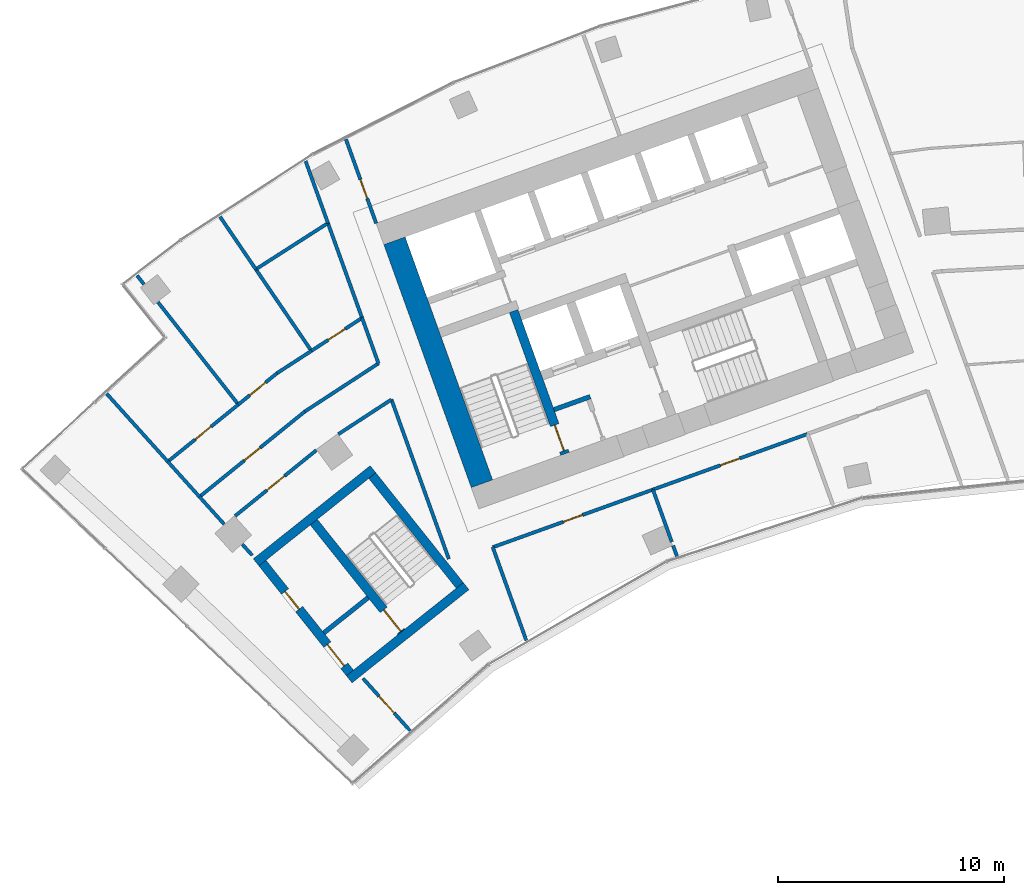
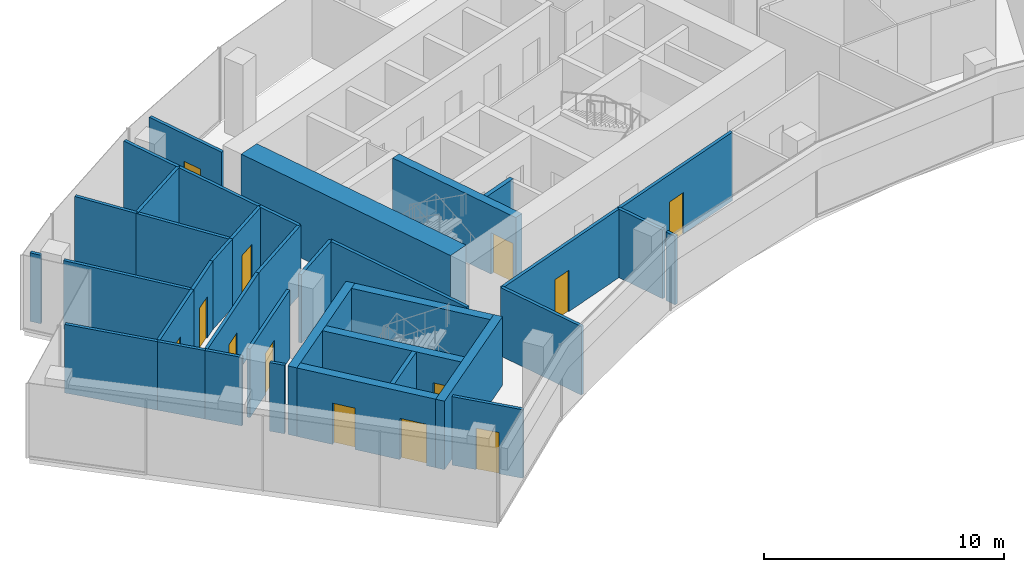
# One storey, part 12 of 19: 37 walls, 13 doors, 13 openings.
"""IFC4 building model written with IfcOpenShell, lengths in metres."""

import ifcopenshell
import ifcopenshell.guid

model = None  # the IFC model being written
_history = None  # IfcOwnerHistory: only IFC2X3 demands one
_inside = {}  # id of a spatial element -> (the spatial element, [elements in it])
_under = {}  # id of a project, library or spatial element -> (it, [spatial elements below it])
_declared = {}  # id of a project -> (the project, [libraries it declares])
_typed = {}  # id of a type object -> (the type object, [elements of that type])
_made_of = {}  # id of a material, layer set ... -> (it, [elements and type objects made of it])


def new_model(schema):
    """Start an empty IFC model of exactly this schema.

    Asked for "IFC4X3", IfcOpenShell would pick the latest addendum, in which some entities
    have other attributes; the version numbers below select the first issue.
    IFC2X3 requires an IfcOwnerHistory on every rooted entity: one is made here for all.
    """
    global model, _history
    if schema == "IFC4X3":
        model = ifcopenshell.file(schema_version=(4, 3, 0, 0))
    else:
        model = ifcopenshell.file(schema=schema)
    _inside.clear()
    _under.clear()
    _declared.clear()
    _typed.clear()
    _made_of.clear()
    _history = None
    if model.schema == "IFC2X3":
        org = make("IfcOrganization", Name="unknown")
        user = make(
            "IfcPersonAndOrganization",
            ThePerson=make("IfcPerson", FamilyName="unknown"),
            TheOrganization=org,
        )
        app = make(
            "IfcApplication",
            ApplicationDeveloper=org,
            Version="unknown",
            ApplicationFullName="unknown",
            ApplicationIdentifier="unknown",
        )
        _history = make(
            "IfcOwnerHistory",
            OwningUser=user,
            OwningApplication=app,
            ChangeAction="ADDED",
            CreationDate=0,
        )
    return model


def make(cls, **values):
    """One entity of the class cls with the attributes given. An attribute that is None is left unset."""
    return model.create_entity(
        cls, **{name: value for name, value in values.items() if value is not None}
    )


def rooted(cls, **values):
    """An entity with a GlobalId (a new one), such as an element, a storey or a relation."""
    return make(cls, GlobalId=ifcopenshell.guid.new(), OwnerHistory=_history, **values)


def si_unit(unit_type, name, prefix=None):
    """IfcSIUnit, for example si_unit("LENGTHUNIT", "METRE", prefix="MILLI")."""
    return make("IfcSIUnit", UnitType=unit_type, Prefix=prefix, Name=name)


def assignment(units):
    """IfcUnitAssignment: the units of a project."""
    return None if units is None else make("IfcUnitAssignment", Units=units)


def point(xyz):
    """IfcCartesianPoint."""
    return None if xyz is None else make("IfcCartesianPoint", Coordinates=xyz)


def direction(xyz):
    """IfcDirection."""
    return None if xyz is None else make("IfcDirection", DirectionRatios=xyz)


def frame(location, z_axis=None, x_axis=None):
    """IfcAxis2Placement3D, a coordinate frame: its origin and axes. An axis left out is left unset."""
    return make(
        "IfcAxis2Placement3D",
        Location=point(location),
        Axis=direction(z_axis),
        RefDirection=direction(x_axis),
    )


def frame_2d(location, x_axis=None):
    """IfcAxis2Placement2D, a coordinate frame in the plane: its origin and x axis."""
    return make(
        "IfcAxis2Placement2D", Location=point(location), RefDirection=direction(x_axis)
    )


def origin():
    """The frame at (0, 0, 0) with its axes left unset."""
    return frame((0.0, 0.0, 0.0))


def place(relative_to, where):
    """IfcLocalPlacement: puts the frame where relative to a parent placement (None: the world)."""
    return make(
        "IfcLocalPlacement", PlacementRelTo=relative_to, RelativePlacement=where
    )


def context(
    kind, dimensions, precision=None, world=None, true_north=None, identifier=None
):
    """IfcGeometricRepresentationContext, for example the 3D "Model" context."""
    return make(
        "IfcGeometricRepresentationContext",
        ContextIdentifier=identifier,
        ContextType=kind,
        CoordinateSpaceDimension=dimensions,
        Precision=precision,
        WorldCoordinateSystem=world,
        TrueNorth=true_north,
    )


def subcontext(parent, identifier, kind, view, scale=None):
    """IfcGeometricRepresentationSubContext, for example "Body" below "Model"."""
    return make(
        "IfcGeometricRepresentationSubContext",
        ContextIdentifier=identifier,
        ContextType=kind,
        ParentContext=parent,
        TargetScale=scale,
        TargetView=view,
    )


def project(units=None, contexts=None):
    """IfcProject with its units and contexts."""
    return rooted(
        "IfcProject",
        Name="project",
        RepresentationContexts=contexts,
        UnitsInContext=assignment(units),
    )


def spatial(cls, under=None, at=None, **own):
    """A site, building, storey or space (cls), placed at a placement, below another one or the project."""
    s = rooted(cls, ObjectPlacement=at, **own)
    if under is not None:
        _under.setdefault(under.id(), (under, []))[1].append(s)
    return s


def profile(cls, at=None, kind="AREA", **sizes):
    """A parametric profile (cls). Its sizes go by their IFC names, for example OverallWidth=200.0."""
    return make(cls, ProfileType=kind, Position=at, **sizes)


def rectangle(**sizes):
    """IfcRectangleProfileDef."""
    return profile("IfcRectangleProfileDef", **sizes)


def extrude(swept, where, along, depth):
    """IfcExtrudedAreaSolid: the profile swept, set in the frame where, extruded along a direction by depth."""
    return make(
        "IfcExtrudedAreaSolid",
        SweptArea=swept,
        Position=where,
        ExtrudedDirection=direction(along),
        Depth=depth,
    )


def shape(context_of_items, identifier, shape_type, items):
    """IfcShapeRepresentation: the items that make up one representation, for example the "Body"."""
    return make(
        "IfcShapeRepresentation",
        ContextOfItems=context_of_items,
        RepresentationIdentifier=identifier,
        RepresentationType=shape_type,
        Items=items,
    )


def material(Name=None, Category=None):
    """IfcMaterial."""
    return make("IfcMaterial", Name=Name, Category=Category)


def layer(
    of_material, thickness, ventilated=None, Name=None, Category=None, Priority=None
):
    """IfcMaterialLayer: one layer of a wall or slab, of a material (None: an air gap)."""
    return make(
        "IfcMaterialLayer",
        Material=of_material,
        LayerThickness=thickness,
        IsVentilated=ventilated,
        Name=Name,
        Category=Category,
        Priority=Priority,
    )


def layer_set(layers, Name=None):
    """IfcMaterialLayerSet."""
    return make("IfcMaterialLayerSet", MaterialLayers=layers, LayerSetName=Name)


def made_of(thing, what):
    """Note that an element or type object is made of a material, layer set ...; save() writes the relation."""
    if what is not None:
        _made_of.setdefault(what.id(), (what, []))[1].append(thing)
    return thing


def type_object(cls, material=None, **own):
    """A type object (cls), such as IfcWallType, which elements share."""
    return made_of(rooted(cls, **own), material)


def element(
    cls,
    number,
    at=None,
    inside=None,
    cuts=None,
    type_object=None,
    material=None,
    context=None,
    identifier="Body",
    shape_type=None,
    held_by="IfcProductDefinitionShape",
    body=None,
    shapes=None,
    **own,
):
    """One element of the class cls, such as IfcWall. Its Tag is "e" and its number.

    at: its placement. inside: the storey or other place that contains it. cuts: it is an
    opening in that element (IfcRelVoidsElement). A single representation is given by context,
    identifier, shape_type and body (its items); several are given by shapes. held_by: the class
    of the entity that holds the representations. save() writes the other relations.
    """
    e = rooted(cls, Tag="e%d" % number, ObjectPlacement=at, **own)
    if body is not None:
        shapes = [shape(context, identifier, shape_type, body)]
    if shapes is not None:
        e.Representation = make(held_by, Representations=shapes)
    if inside is not None:
        _inside.setdefault(inside.id(), (inside, []))[1].append(e)
    if cuts is not None:
        rooted(
            "IfcRelVoidsElement", RelatingBuildingElement=cuts, RelatedOpeningElement=e
        )
    if type_object is not None:
        _typed.setdefault(type_object.id(), (type_object, []))[1].append(e)
    return made_of(e, material)


def fill(opening, filler):
    """IfcRelFillsElement: the door or window that sits in an opening."""
    return rooted(
        "IfcRelFillsElement",
        RelatingOpeningElement=opening,
        RelatedBuildingElement=filler,
    )


def aggregate(whole, parts):
    """IfcRelAggregates: a whole, such as a stair, and the parts it consists of."""
    return rooted("IfcRelAggregates", RelatingObject=whole, RelatedObjects=parts)


def save(model, path):
    """Write the relations noted so far, then the file.

    IfcRelAggregates (storeys below a building ...), IfcRelContainedInSpatialStructure (elements
    in a storey), IfcRelDefinesByType, IfcRelAssociatesMaterial and IfcRelDeclares: one each for
    every whole, place, type object, material and project.
    """
    for whole, parts in _under.values():
        aggregate(whole, parts)
    for where, things in _inside.values():
        rooted(
            "IfcRelContainedInSpatialStructure",
            RelatedElements=things,
            RelatingStructure=where,
        )
    for kind, things in _typed.values():
        rooted("IfcRelDefinesByType", RelatedObjects=things, RelatingType=kind)
    for what, things in _made_of.values():
        rooted("IfcRelAssociatesMaterial", RelatedObjects=things, RelatingMaterial=what)
    for by, libraries in _declared.values():
        rooted("IfcRelDeclares", RelatingContext=by, RelatedDefinitions=libraries)
    model.write(path)


model = new_model("IFC4")

# Units and contexts
model_context = context("Model", 3, precision=1e-05, world=origin(), true_north=direction((0.0, 1.0)))
body_context = subcontext(model_context, "Body", "Model", "MODEL_VIEW")
ifc_project = project(units=[si_unit("LENGTHUNIT", "METRE"), si_unit("AREAUNIT", "SQUARE_METRE"), si_unit("VOLUMEUNIT", "CUBIC_METRE"), si_unit("PLANEANGLEUNIT", "RADIAN"), si_unit("MASSUNIT", "GRAM", prefix="KILO")], contexts=[model_context])

# Site, building, storey
site_placement = place(None, origin())
site = spatial("IfcSite", under=ifc_project, at=site_placement, CompositionType="ELEMENT")
building_placement = place(site_placement, origin())
building = spatial("IfcBuilding", under=site, at=building_placement, Name="Stone Belt Terrace Tower", CompositionType="ELEMENT")
storey_placement = place(building_placement, frame((0.0, 0.0, 204.800048828125)))
storey = spatial("IfcBuildingStorey", under=building, at=storey_placement, Name="L49", CompositionType="ELEMENT", Elevation=204.800048828125)

# Walls
ifc_material_1 = material(Name="Concrete B60", Category="concrete")
ifc_layer_1 = layer(ifc_material_1, 1.0)
ifc_layer_set_1 = layer_set([ifc_layer_1], Name="Core wall 1000 B60")
wall_type_1 = type_object("IfcWallType", Name="Core wall 1000 B60", PredefinedType="SHEAR", material=ifc_layer_set_1)
wall_1_placement = place(storey_placement, frame((-25.821044921875, 43.102783203125, 0.0), z_axis=(0.0, 0.0, 1.0), x_axis=(-0.338625431531, 0.940921259788, 0.0)))
element("IfcWall", 1, at=wall_1_placement, inside=storey, type_object=wall_type_1, Name="Core A wall end_a L49", PredefinedType="SHEAR", context=body_context, shape_type="SweptSolid", body=[
    extrude(rectangle(XDim=11.400146484375, YDim=1.0, at=frame_2d((5.7001953125, 0.0))), origin(), (0.0, 0.0, 1.0), 3.800048828125),
])
ifc_material_2 = material(Name="Gypsum board partition")
ifc_layer_2 = layer(ifc_material_2, 0.14990234375)
ifc_layer_set_2 = layer_set([ifc_layer_2], Name="PARTITION 150 EI 60")
wall_type_2 = type_object("IfcWallType", Name="PARTITION 150 EI 60", PredefinedType="PARTITIONING", material=ifc_layer_set_2)
wall_2_placement = place(storey_placement, frame((-25.344970703125, 40.304931640625, 0.0), z_axis=(0.0, 0.0, 1.0), x_axis=(0.338603151709, -0.94092927771, 0.0)))
element("IfcWall", 2, at=wall_2_placement, inside=storey, type_object=wall_type_2, Name="L49/wall/i001", PredefinedType="PARTITIONING", context=body_context, shape_type="SweptSolid", body=[
    extrude(rectangle(XDim=4.38525390625, YDim=0.14990234375, at=frame_2d((2.192626953125, 0.0))), origin(), (0.0, 0.0, 1.0), 3.47998046875),
])

# Wall, opening, door
wall_3_placement = place(storey_placement, frame((-31.826904296875, 58.314208984375, 0.0), z_axis=(0.0, 0.0, 1.0), x_axis=(0.338542007836, -0.940951278723, 0.0)))
wall_3 = element("IfcWall", 3, at=wall_3_placement, inside=storey, type_object=wall_type_2, Name="L49/wall/i002", PredefinedType="PARTITIONING", context=body_context, shape_type="SweptSolid", body=[
    extrude(rectangle(XDim=3.946044921875, YDim=0.14990234375, at=frame_2d((1.97314453125, 0.0))), origin(), (0.0, 0.0, 1.0), 3.47998046875),
])
opening_1_placement = place(wall_3_placement, frame((1.889892578125, 0.0, 0.0)))
opening_1 = element("IfcOpeningElement", 4, at=opening_1_placement, cuts=wall_3, Name="Opening D-D2-04", PredefinedType="OPENING", context=body_context, shape_type="SweptSolid", body=[
    extrude(rectangle(XDim=0.89990234375, YDim=2.10009765625, at=frame_2d((0.449951171875, 1.050048828125))), frame((0.0, 0.0849609375, 0.0), z_axis=(0.0, -1.0, 0.0), x_axis=(1.0, 0.0, 0.0)), (0.0, 0.0, 1.0), 0.169921875),
])
ifc_material_3 = material(Name="Timber door leaf", Category="wood")
door_type_1 = type_object("IfcDoorType", Name="OFFICE DOOR 900 X 2100", OperationType="NOTDEFINED", PredefinedType="DOOR", material=ifc_material_3)
door_1_placement = place(opening_1_placement, origin())
door_1 = element("IfcDoor", 5, at=door_1_placement, inside=storey, type_object=door_type_1, Name="L49/door/i04", OperationType="SINGLE_SWING_RIGHT", OverallHeight=2.10009765625, OverallWidth=0.89990234375, PredefinedType="DOOR", context=body_context, shape_type="SweptSolid", body=[
    extrude(rectangle(XDim=0.89990234375, YDim=2.10009765625, at=frame_2d((0.449951171875, 1.050048828125))), frame((0.0, 0.02490234375, 0.0), z_axis=(0.0, -1.0, 0.0), x_axis=(1.0, 0.0, 0.0)), (0.0, 0.0, 1.0), 0.050048828125),
])
fill(opening_1, door_1)

wall_4_placement = place(storey_placement, frame((-28.9892578125, 32.194580078125, 0.0), z_axis=(0.0, 0.0, 1.0), x_axis=(-0.669060096377, 0.743208306894, 0.0)))
wall_4 = element("IfcWall", 6, at=wall_4_placement, inside=storey, type_object=wall_type_2, Name="L49/wall/i003", PredefinedType="PARTITIONING", context=body_context, shape_type="SweptSolid", body=[
    extrude(rectangle(XDim=3.111572265625, YDim=0.14990234375, at=frame_2d((1.5556640625, 0.0))), origin(), (0.0, 0.0, 1.0), 3.47998046875),
])
opening_2_placement = place(wall_4_placement, frame((1.0556640625, 0.0, 0.0)))
opening_2 = element("IfcOpeningElement", 7, at=opening_2_placement, cuts=wall_4, Name="Opening D-D2-11", PredefinedType="OPENING", context=body_context, shape_type="SweptSolid", body=[
    extrude(rectangle(XDim=1.0, YDim=2.10009765625, at=frame_2d((0.5, 1.050048828125))), frame((0.0, 0.0849609375, 0.0), z_axis=(0.0, -1.0, 0.0), x_axis=(1.0, 0.0, 0.0)), (0.0, 0.0, 1.0), 0.169921875),
])
ifc_material_4 = material(Name="Timber fire door leaf", Category="wood")
door_type_2 = type_object("IfcDoorType", Name="TENANCY ENTRANCE DOOR 1000 X 2100", OperationType="NOTDEFINED", PredefinedType="DOOR", material=ifc_material_4)
door_2_placement = place(opening_2_placement, origin())
door_2 = element("IfcDoor", 8, at=door_2_placement, inside=storey, type_object=door_type_2, Name="L49/door/i11", OperationType="SINGLE_SWING_RIGHT", OverallHeight=2.10009765625, OverallWidth=1.0, PredefinedType="DOOR", context=body_context, shape_type="SweptSolid", body=[
    extrude(rectangle(XDim=1.0, YDim=2.10009765625, at=frame_2d((0.5, 1.050048828125))), frame((0.0, 0.02490234375, 0.0), z_axis=(0.0, -1.0, 0.0), x_axis=(1.0, 0.0, 0.0)), (0.0, 0.0, 1.0), 0.050048828125),
])
fill(opening_2, door_2)

# Walls
wall_5_placement = place(storey_placement, frame((-27.282958984375, 39.781982421875, 0.0), z_axis=(0.0, 0.0, 1.0), x_axis=(-0.338714849804, 0.940889074505, 0.0)))
element("IfcWall", 9, at=wall_5_placement, inside=storey, type_object=wall_type_2, Name="L49/wall/i004", PredefinedType="PARTITIONING", context=body_context, shape_type="SweptSolid", body=[
    extrude(rectangle(XDim=7.487548828125, YDim=0.14990234375, at=frame_2d((3.74365234375, 0.0))), origin(), (0.0, 0.0, 1.0), 3.47998046875),
])
wall_6_placement = place(storey_placement, frame((-30.387939453125, 48.408935546875, 0.0), z_axis=(0.0, 0.0, 1.0), x_axis=(-0.338510151975, 0.940962739438, 0.0)))
element("IfcWall", 10, at=wall_6_placement, inside=storey, type_object=wall_type_2, Name="L49/wall/i005", PredefinedType="PARTITIONING", context=body_context, shape_type="SweptSolid", body=[
    extrude(rectangle(XDim=2.147705078125, YDim=0.14990234375, at=frame_2d((1.07373046875, 0.0))), origin(), (0.0, 0.0, 1.0), 3.47998046875),
])
wall_7_placement = place(storey_placement, frame((-31.111083984375, 50.41796875, 0.0), z_axis=(0.0, 0.0, 1.0), x_axis=(-0.338855091794, 0.940838576359, 0.0)))
element("IfcWall", 11, at=wall_7_placement, inside=storey, type_object=wall_type_2, Name="L49/wall/i006", PredefinedType="PARTITIONING", context=body_context, shape_type="SweptSolid", body=[
    extrude(rectangle(XDim=4.4619140625, YDim=0.14990234375, at=frame_2d((2.23095703125, 0.0))), origin(), (0.0, 0.0, 1.0), 3.47998046875),
])
wall_8_placement = place(storey_placement, frame((-32.617919921875, 54.60498046875, 0.0), z_axis=(0.0, 0.0, 1.0), x_axis=(-0.338823024639, 0.940850125139, 0.0)))
element("IfcWall", 12, at=wall_8_placement, inside=storey, type_object=wall_type_2, Name="L49/wall/i007", PredefinedType="PARTITIONING", context=body_context, shape_type="SweptSolid", body=[
    extrude(rectangle(XDim=2.921875, YDim=0.14990234375, at=frame_2d((1.4609375, 0.0))), origin(), (0.0, 0.0, 1.0), 3.47998046875),
])

# Wall, opening, door
wall_9_placement = place(storey_placement, frame((-18.264892578125, 42.845947265625, 0.0), z_axis=(0.0, 0.0, 1.0), x_axis=(-0.940940358384, -0.338572358536, 0.0)))
wall_9 = element("IfcWall", 13, at=wall_9_placement, inside=storey, type_object=wall_type_2, Name="L49/wall/i015", PredefinedType="PARTITIONING", context=body_context, shape_type="SweptSolid", body=[
    extrude(rectangle(XDim=7.5224609375, YDim=0.14990234375, at=frame_2d((3.76123046875, 0.0))), origin(), (0.0, 0.0, 1.0), 3.47998046875),
])
opening_3_placement = place(wall_9_placement, frame((3.311279296875, 0.0, 0.0)))
opening_3 = element("IfcOpeningElement", 14, at=opening_3_placement, cuts=wall_9, Name="Opening D-D2-01", PredefinedType="OPENING", context=body_context, shape_type="SweptSolid", body=[
    extrude(rectangle(XDim=0.89990234375, YDim=2.10009765625, at=frame_2d((0.449951171875, 1.050048828125))), frame((0.0, 0.0849609375, 0.0), z_axis=(0.0, -1.0, 0.0), x_axis=(1.0, 0.0, 0.0)), (0.0, 0.0, 1.0), 0.169921875),
])
door_3_placement = place(opening_3_placement, origin())
door_3 = element("IfcDoor", 15, at=door_3_placement, inside=storey, type_object=door_type_1, Name="L49/door/i01", OperationType="SINGLE_SWING_RIGHT", OverallHeight=2.10009765625, OverallWidth=0.89990234375, PredefinedType="DOOR", context=body_context, shape_type="SweptSolid", body=[
    extrude(rectangle(XDim=0.89990234375, YDim=2.10009765625, at=frame_2d((0.449951171875, 1.050048828125))), frame((0.0, 0.02490234375, 0.0), z_axis=(0.0, -1.0, 0.0), x_axis=(1.0, 0.0, 0.0)), (0.0, 0.0, 1.0), 0.050048828125),
])
fill(opening_3, door_3)

wall_10_placement = place(storey_placement, frame((-11.443115234375, 45.301025390625, 0.0), z_axis=(0.0, 0.0, 1.0), x_axis=(-0.940942249556, -0.338567102655, 0.0)))
wall_10 = element("IfcWall", 16, at=wall_10_placement, inside=storey, type_object=wall_type_2, Name="L49/wall/i016", PredefinedType="PARTITIONING", context=body_context, shape_type="SweptSolid", body=[
    extrude(rectangle(XDim=7.262939453125, YDim=0.14990234375, at=frame_2d((3.63134765625, 0.0))), origin(), (0.0, 0.0, 1.0), 3.47998046875),
])
opening_4_placement = place(wall_10_placement, frame((3.181396484375, 0.0, 0.0)))
opening_4 = element("IfcOpeningElement", 17, at=opening_4_placement, cuts=wall_10, Name="Opening D-D2-02", PredefinedType="OPENING", context=body_context, shape_type="SweptSolid", body=[
    extrude(rectangle(XDim=0.89990234375, YDim=2.10009765625, at=frame_2d((0.449951171875, 1.050048828125))), frame((0.0, 0.0849609375, 0.0), z_axis=(0.0, -1.0, 0.0), x_axis=(1.0, 0.0, 0.0)), (0.0, 0.0, 1.0), 0.169921875),
])
door_4_placement = place(opening_4_placement, origin())
door_4 = element("IfcDoor", 18, at=door_4_placement, inside=storey, type_object=door_type_1, Name="L49/door/i02", OperationType="SINGLE_SWING_RIGHT", OverallHeight=2.10009765625, OverallWidth=0.89990234375, PredefinedType="DOOR", context=body_context, shape_type="SweptSolid", body=[
    extrude(rectangle(XDim=0.89990234375, YDim=2.10009765625, at=frame_2d((0.449951171875, 1.050048828125))), frame((0.0, 0.02490234375, 0.0), z_axis=(0.0, -1.0, 0.0), x_axis=(1.0, 0.0, 0.0)), (0.0, 0.0, 1.0), 0.050048828125),
])
fill(opening_4, door_4)

# Walls
wall_11_placement = place(storey_placement, frame((-18.27099609375, 42.843994140625, 0.0), z_axis=(0.0, 0.0, 1.0), x_axis=(0.338641965783, -0.940915309159, 0.0)))
element("IfcWall", 19, at=wall_11_placement, inside=storey, type_object=wall_type_2, Name="L49/wall/i018", PredefinedType="PARTITIONING", context=body_context, shape_type="SweptSolid", body=[
    extrude(rectangle(XDim=2.4541015625, YDim=0.14990234375, at=frame_2d((1.22705078125, 0.0))), origin(), (0.0, 0.0, 1.0), 3.47998046875),
])
wall_12_placement = place(storey_placement, frame((-17.379150390625, 40.3662109375, 0.0), z_axis=(0.0, 0.0, 1.0), x_axis=(0.338719468273, -0.940887411869, 0.0)))
element("IfcWall", 20, at=wall_12_placement, inside=storey, type_object=wall_type_2, Name="L49/wall/i019", PredefinedType="PARTITIONING", context=body_context, shape_type="SweptSolid", body=[
    extrude(rectangle(XDim=0.49951171875, YDim=0.14990234375, at=frame_2d((0.249755859375, 0.0))), origin(), (0.0, 0.0, 1.0), 3.47998046875),
])
wall_13_placement = place(storey_placement, frame((-38.294921875, 42.530029296875, 0.0), z_axis=(0.0, 0.0, 1.0), x_axis=(0.669105815647, -0.743167146386, 0.0)))
element("IfcWall", 21, at=wall_13_placement, inside=storey, type_object=wall_type_2, Name="L49/wall/i039", PredefinedType="PARTITIONING", context=body_context, shape_type="SweptSolid", body=[
    extrude(rectangle(XDim=1.625244140625, YDim=0.14990234375, at=frame_2d((0.8125, 0.0))), origin(), (0.0, 0.0, 1.0), 3.47998046875),
])
wall_14_placement = place(storey_placement, frame((-36.3974609375, 40.42333984375, 0.0), z_axis=(0.0, 0.0, 1.0), x_axis=(0.669006377534, -0.743256662815, 0.0)))
element("IfcWall", 22, at=wall_14_placement, inside=storey, type_object=wall_type_2, Name="L49/wall/i040", PredefinedType="PARTITIONING", context=body_context, shape_type="SweptSolid", body=[
    extrude(rectangle(XDim=0.647705078125, YDim=0.14990234375, at=frame_2d((0.32373046875, 0.0))), origin(), (0.0, 0.0, 1.0), 3.47998046875),
])
wall_15_placement = place(storey_placement, frame((-39.694091796875, 44.083984375, 0.0), z_axis=(0.0, 0.0, 1.0), x_axis=(0.66904169551, -0.743224871535, 0.0)))
element("IfcWall", 23, at=wall_15_placement, inside=storey, type_object=wall_type_2, Name="L49/wall/i041", PredefinedType="PARTITIONING", context=body_context, shape_type="SweptSolid", body=[
    extrude(rectangle(XDim=2.10302734375, YDim=0.14990234375, at=frame_2d((1.051513671875, 0.0))), origin(), (0.0, 0.0, 1.0), 3.47998046875),
])
wall_16_placement = place(storey_placement, frame((-42.39501953125, 47.084228515625, 0.0), z_axis=(0.0, 0.0, 1.0), x_axis=(0.669051341016, -0.743216188659, 0.0)))
element("IfcWall", 24, at=wall_16_placement, inside=storey, type_object=wall_type_2, Name="L49/wall/i042", PredefinedType="PARTITIONING", context=body_context, shape_type="SweptSolid", body=[
    extrude(rectangle(XDim=4.049072265625, YDim=0.14990234375, at=frame_2d((2.0244140625, 0.0))), origin(), (0.0, 0.0, 1.0), 3.47998046875),
])
wall_17_placement = place(storey_placement, frame((-29.81689453125, 46.821044921875, 0.0), z_axis=(0.0, 0.0, 1.0), x_axis=(-0.837343079097, -0.54667775507, 0.0)))
element("IfcWall", 25, at=wall_17_placement, inside=storey, type_object=wall_type_2, Name="L49/wall/i043", PredefinedType="PARTITIONING", context=body_context, shape_type="SweptSolid", body=[
    extrude(rectangle(XDim=2.796875, YDim=0.14990234375, at=frame_2d((1.3984375, 0.0))), origin(), (0.0, 0.0, 1.0), 3.47998046875),
])

# Wall, opening, door
wall_18_placement = place(storey_placement, frame((-33.136962890625, 44.57958984375, 0.0), z_axis=(0.0, 0.0, 1.0), x_axis=(-0.777157211672, -0.629306497937, 0.0)))
wall_18 = element("IfcWall", 26, at=wall_18_placement, inside=storey, type_object=wall_type_2, Name="L49/wall/i044", PredefinedType="PARTITIONING", context=body_context, shape_type="SweptSolid", body=[
    extrude(rectangle(XDim=4.60546875, YDim=0.14990234375, at=frame_2d((2.302734375, 0.0))), origin(), (0.0, 0.0, 1.0), 3.47998046875),
])
opening_5_placement = place(wall_18_placement, frame((1.802734375, 0.0, 0.0)))
opening_5 = element("IfcOpeningElement", 27, at=opening_5_placement, cuts=wall_18, Name="Opening D-D2-12", PredefinedType="OPENING", context=body_context, shape_type="SweptSolid", body=[
    extrude(rectangle(XDim=1.0, YDim=2.10009765625, at=frame_2d((0.5, 1.050048828125))), frame((0.0, 0.0849609375, 0.0), z_axis=(0.0, -1.0, 0.0), x_axis=(1.0, 0.0, 0.0)), (0.0, 0.0, 1.0), 0.169921875),
])
door_5_placement = place(opening_5_placement, origin())
door_5 = element("IfcDoor", 28, at=door_5_placement, inside=storey, type_object=door_type_2, Name="L49/door/i12", OperationType="SINGLE_SWING_RIGHT", OverallHeight=2.10009765625, OverallWidth=1.0, PredefinedType="DOOR", context=body_context, shape_type="SweptSolid", body=[
    extrude(rectangle(XDim=1.0, YDim=2.10009765625, at=frame_2d((0.5, 1.050048828125))), frame((0.0, 0.02490234375, 0.0), z_axis=(0.0, -1.0, 0.0), x_axis=(1.0, 0.0, 0.0)), (0.0, 0.0, 1.0), 0.050048828125),
])
fill(opening_5, door_5)

wall_19_placement = place(storey_placement, frame((-38.291015625, 42.52587890625, 0.0), z_axis=(0.0, 0.0, 1.0), x_axis=(0.777109127033, 0.629365875054, 0.0)))
wall_19 = element("IfcWall", 29, at=wall_19_placement, inside=storey, type_object=wall_type_2, Name="L49/wall/i045", PredefinedType="PARTITIONING", context=body_context, shape_type="SweptSolid", body=[
    extrude(rectangle(XDim=5.990234375, YDim=0.14990234375, at=frame_2d((2.9951171875, 0.0))), origin(), (0.0, 0.0, 1.0), 3.47998046875),
])
opening_6_placement = place(wall_19_placement, frame((2.545166015625, 0.0, 0.0)))
opening_6 = element("IfcOpeningElement", 30, at=opening_6_placement, cuts=wall_19, Name="Opening D-D2-13", PredefinedType="OPENING", context=body_context, shape_type="SweptSolid", body=[
    extrude(rectangle(XDim=0.89990234375, YDim=2.10009765625, at=frame_2d((0.449951171875, 1.050048828125))), frame((0.0, 0.0849609375, 0.0), z_axis=(0.0, -1.0, 0.0), x_axis=(1.0, 0.0, 0.0)), (0.0, 0.0, 1.0), 0.169921875),
])
door_6_placement = place(opening_6_placement, origin())
door_6 = element("IfcDoor", 31, at=door_6_placement, inside=storey, type_object=door_type_1, Name="L49/door/i13", OperationType="SINGLE_SWING_RIGHT", OverallHeight=2.10009765625, OverallWidth=0.89990234375, PredefinedType="DOOR", context=body_context, shape_type="SweptSolid", body=[
    extrude(rectangle(XDim=0.89990234375, YDim=2.10009765625, at=frame_2d((0.449951171875, 1.050048828125))), frame((0.0, 0.02490234375, 0.0), z_axis=(0.0, -1.0, 0.0), x_axis=(1.0, 0.0, 0.0)), (0.0, 0.0, 1.0), 0.050048828125),
])
fill(opening_6, door_6)

# Wall
wall_20_placement = place(storey_placement, frame((-33.635986328125, 46.2958984375, 0.0), z_axis=(0.0, 0.0, 1.0), x_axis=(0.83735993179, 0.54665194103, 0.0)))
element("IfcWall", 32, at=wall_20_placement, inside=storey, type_object=wall_type_2, Name="L49/wall/i046", PredefinedType="PARTITIONING", context=body_context, shape_type="SweptSolid", body=[
    extrude(rectangle(XDim=3.87646484375, YDim=0.14990234375, at=frame_2d((1.938232421875, 0.0))), origin(), (0.0, 0.0, 1.0), 3.47998046875),
])

# Wall, opening, door
wall_21_placement = place(storey_placement, frame((-39.68994140625, 44.080078125, 0.0), z_axis=(0.0, 0.0, 1.0), x_axis=(0.777257626376, 0.629182471339, 0.0)))
wall_21 = element("IfcWall", 33, at=wall_21_placement, inside=storey, type_object=wall_type_2, Name="L49/wall/i047", PredefinedType="PARTITIONING", context=body_context, shape_type="SweptSolid", body=[
    extrude(rectangle(XDim=4.011474609375, YDim=0.14990234375, at=frame_2d((2.005859375, 0.0))), origin(), (0.0, 0.0, 1.0), 3.47998046875),
])
opening_7_placement = place(wall_21_placement, frame((1.5556640625, 0.0, 0.0)))
opening_7 = element("IfcOpeningElement", 34, at=opening_7_placement, cuts=wall_21, Name="Opening D-D2-14", PredefinedType="OPENING", context=body_context, shape_type="SweptSolid", body=[
    extrude(rectangle(XDim=0.89990234375, YDim=2.10009765625, at=frame_2d((0.449951171875, 1.050048828125))), frame((0.0, 0.0849609375, 0.0), z_axis=(0.0, -1.0, 0.0), x_axis=(1.0, 0.0, 0.0)), (0.0, 0.0, 1.0), 0.169921875),
])
door_7_placement = place(opening_7_placement, origin())
door_7 = element("IfcDoor", 35, at=door_7_placement, inside=storey, type_object=door_type_1, Name="L49/door/i14", OperationType="SINGLE_SWING_RIGHT", OverallHeight=2.10009765625, OverallWidth=0.89990234375, PredefinedType="DOOR", context=body_context, shape_type="SweptSolid", body=[
    extrude(rectangle(XDim=0.89990234375, YDim=2.10009765625, at=frame_2d((0.449951171875, 1.050048828125))), frame((0.0, 0.02490234375, 0.0), z_axis=(0.0, -1.0, 0.0), x_axis=(1.0, 0.0, 0.0)), (0.0, 0.0, 1.0), 0.050048828125),
])
fill(opening_7, door_7)

wall_22_placement = place(storey_placement, frame((-36.5810546875, 46.596923828125, 0.0), z_axis=(0.0, 0.0, 1.0), x_axis=(0.777036302679, 0.629455784244, 0.0)))
wall_22 = element("IfcWall", 36, at=wall_22_placement, inside=storey, type_object=wall_type_2, Name="L49/wall/i048", PredefinedType="PARTITIONING", context=body_context, shape_type="SweptSolid", body=[
    extrude(rectangle(XDim=2.20849609375, YDim=0.14990234375, at=frame_2d((1.104248046875, 0.0))), origin(), (0.0, 0.0, 1.0), 3.47998046875),
])
opening_8_placement = place(wall_22_placement, frame((0.654052734375, 0.0, 0.0)))
opening_8 = element("IfcOpeningElement", 37, at=opening_8_placement, cuts=wall_22, Name="Opening D-D2-15", PredefinedType="OPENING", context=body_context, shape_type="SweptSolid", body=[
    extrude(rectangle(XDim=0.89990234375, YDim=2.10009765625, at=frame_2d((0.449951171875, 1.050048828125))), frame((0.0, 0.0849609375, 0.0), z_axis=(0.0, -1.0, 0.0), x_axis=(1.0, 0.0, 0.0)), (0.0, 0.0, 1.0), 0.169921875),
])
door_8_placement = place(opening_8_placement, origin())
door_8 = element("IfcDoor", 38, at=door_8_placement, inside=storey, type_object=door_type_1, Name="L49/door/i15", OperationType="SINGLE_SWING_RIGHT", OverallHeight=2.10009765625, OverallWidth=0.89990234375, PredefinedType="DOOR", context=body_context, shape_type="SweptSolid", body=[
    extrude(rectangle(XDim=0.89990234375, YDim=2.10009765625, at=frame_2d((0.449951171875, 1.050048828125))), frame((0.0, 0.02490234375, 0.0), z_axis=(0.0, -1.0, 0.0), x_axis=(1.0, 0.0, 0.0)), (0.0, 0.0, 1.0), 0.050048828125),
])
fill(opening_8, door_8)

# Wall
wall_23_placement = place(storey_placement, frame((-34.864990234375, 47.987060546875, 0.0), z_axis=(0.0, 0.0, 1.0), x_axis=(0.838831506128, 0.544391131749, 0.0)))
element("IfcWall", 39, at=wall_23_placement, inside=storey, type_object=wall_type_2, Name="L49/wall/i049", PredefinedType="PARTITIONING", context=body_context, shape_type="SweptSolid", body=[
    extrude(rectangle(XDim=1.810791015625, YDim=0.14990234375, at=frame_2d((0.9052734375, 0.0))), origin(), (0.0, 0.0, 1.0), 3.47998046875),
])

# Wall, opening, door
wall_24_placement = place(storey_placement, frame((-33.35595703125, 48.967041015625, 0.0), z_axis=(0.0, 0.0, 1.0), x_axis=(0.838591655075, 0.544760530912, 0.0)))
wall_24 = element("IfcWall", 40, at=wall_24_placement, inside=storey, type_object=wall_type_2, Name="L49/wall/i050", PredefinedType="PARTITIONING", context=body_context, shape_type="SweptSolid", body=[
    extrude(rectangle(XDim=2.674560546875, YDim=0.14990234375, at=frame_2d((1.33740234375, 0.0))), origin(), (0.0, 0.0, 1.0), 3.47998046875),
])
opening_9_placement = place(wall_24_placement, frame((0.887451171875, 0.0, 0.0)))
opening_9 = element("IfcOpeningElement", 41, at=opening_9_placement, cuts=wall_24, Name="Opening D-D2-16", PredefinedType="OPENING", context=body_context, shape_type="SweptSolid", body=[
    extrude(rectangle(XDim=0.89990234375, YDim=2.10009765625, at=frame_2d((0.449951171875, 1.050048828125))), frame((0.0, 0.0849609375, 0.0), z_axis=(0.0, -1.0, 0.0), x_axis=(1.0, 0.0, 0.0)), (0.0, 0.0, 1.0), 0.169921875),
])
door_9_placement = place(opening_9_placement, origin())
door_9 = element("IfcDoor", 42, at=door_9_placement, inside=storey, type_object=door_type_1, Name="L49/door/i16", OperationType="SINGLE_SWING_RIGHT", OverallHeight=2.10009765625, OverallWidth=0.89990234375, PredefinedType="DOOR", context=body_context, shape_type="SweptSolid", body=[
    extrude(rectangle(XDim=0.89990234375, YDim=2.10009765625, at=frame_2d((0.449951171875, 1.050048828125))), frame((0.0, 0.02490234375, 0.0), z_axis=(0.0, -1.0, 0.0), x_axis=(1.0, 0.0, 0.0)), (0.0, 0.0, 1.0), 0.050048828125),
])
fill(opening_9, door_9)

# Walls
wall_25_placement = place(storey_placement, frame((-41.05078125, 52.30078125, 0.0), z_axis=(0.0, 0.0, 1.0), x_axis=(0.617296297688, -0.786730754999, 0.0)))
element("IfcWall", 43, at=wall_25_placement, inside=storey, type_object=wall_type_2, Name="L49/wall/i051", PredefinedType="PARTITIONING", context=body_context, shape_type="SweptSolid", body=[
    extrude(rectangle(XDim=0.49267578125, YDim=0.14990234375, at=frame_2d((0.246337890625, 0.0))), origin(), (0.0, 0.0, 1.0), 3.47998046875),
])
wall_26_placement = place(storey_placement, frame((-40.123046875, 51.11865234375, 0.0), z_axis=(0.0, 0.0, 1.0), x_axis=(0.61745726777, -0.786604425667, 0.0)))
element("IfcWall", 44, at=wall_26_placement, inside=storey, type_object=wall_type_2, Name="L49/wall/i052", PredefinedType="PARTITIONING", context=body_context, shape_type="SweptSolid", body=[
    extrude(rectangle(XDim=5.7431640625, YDim=0.14990234375, at=frame_2d((2.87158203125, 0.0))), origin(), (0.0, 0.0, 1.0), 3.47998046875),
])
wall_27_placement = place(storey_placement, frame((-35.806884765625, 52.576904296875, 0.0), z_axis=(0.0, 0.0, 1.0), x_axis=(0.56279504392, -0.826596478664, 0.0)))
element("IfcWall", 45, at=wall_27_placement, inside=storey, type_object=wall_type_2, Name="L49/wall/i053", PredefinedType="PARTITIONING", context=body_context, shape_type="SweptSolid", body=[
    extrude(rectangle(XDim=4.363525390625, YDim=0.14990234375, at=frame_2d((2.181640625, 0.0))), origin(), (0.0, 0.0, 1.0), 3.47998046875),
])
wall_28_placement = place(storey_placement, frame((-37.390380859375, 54.901611328125, 0.0), z_axis=(0.0, 0.0, 1.0), x_axis=(0.562733169893, -0.826638602717, 0.0)))
element("IfcWall", 46, at=wall_28_placement, inside=storey, type_object=wall_type_2, Name="L49/wall/i054", PredefinedType="PARTITIONING", context=body_context, shape_type="SweptSolid", body=[
    extrude(rectangle(XDim=2.824462890625, YDim=0.14990234375, at=frame_2d((1.412109375, 0.0))), origin(), (0.0, 0.0, 1.0), 3.47998046875),
])
wall_29_placement = place(storey_placement, frame((-35.803955078125, 52.572021484375, 0.0), z_axis=(0.0, 0.0, 1.0), x_axis=(0.842102486174, 0.539317534278, 0.0)))
element("IfcWall", 47, at=wall_29_placement, inside=storey, type_object=wall_type_2, Name="L49/wall/i055", PredefinedType="PARTITIONING", context=body_context, shape_type="SweptSolid", body=[
    extrude(rectangle(XDim=3.78076171875, YDim=0.14990234375, at=frame_2d((1.890380859375, 0.0))), origin(), (0.0, 0.0, 1.0), 3.47998046875),
])
ifc_material_5 = material(Name="Concrete masonry block", Category="masonry")
ifc_layer_3 = layer(ifc_material_5, 0.199951171875)
ifc_layer_set_3 = layer_set([ifc_layer_3], Name="Rated lobby wall 200")
wall_type_3 = type_object("IfcWallType", Name="Rated lobby wall 200", PredefinedType="PARTITIONING", material=ifc_layer_set_3)
wall_30_placement = place(storey_placement, frame((-22.640625, 46.373046875, 0.0), z_axis=(0.0, 0.0, 1.0), x_axis=(0.940966110313, 0.338500781747, 0.0)))
element("IfcWall", 48, at=wall_30_placement, inside=storey, type_object=wall_type_3, Name="Core A wall", PredefinedType="PARTITIONING", context=body_context, shape_type="SweptSolid", body=[
    extrude(rectangle(XDim=1.699951171875, YDim=0.199951171875, at=frame_2d((0.85009765625, 0.0))), origin(), (0.0, 0.0, 1.0), 3.47998046875),
])
wall_31_placement = place(storey_placement, frame((-30.845703125, 38.074951171875, 0.0), z_axis=(0.0, 0.0, 1.0), x_axis=(-0.782115323833, -0.623133709749, 0.0)))
element("IfcWall", 49, at=wall_31_placement, inside=storey, type_object=wall_type_3, Name="Exit stair ST3A wall", PredefinedType="PARTITIONING", context=body_context, shape_type="SweptSolid", body=[
    extrude(rectangle(XDim=2.5, YDim=0.199951171875, at=frame_2d((1.25, 0.0))), origin(), (0.0, 0.0, 1.0), 3.47998046875),
])

# Wall, opening, door
ifc_material_6 = material(Name="Concrete B80", Category="concrete")
ifc_layer_4 = layer(ifc_material_6, 0.39990234375)
ifc_layer_set_4 = layer_set([ifc_layer_4], Name="Stair enclosure wall 400")
wall_type_4 = type_object("IfcWallType", Name="Stair enclosure wall 400", PredefinedType="SHEAR", material=ifc_layer_set_4)
wall_32_placement = place(storey_placement, frame((-22.151611328125, 44.42333984375, 0.0), z_axis=(0.0, 0.0, 1.0), x_axis=(-0.338625272931, 0.940921316866, 0.0)))
wall_32 = element("IfcWall", 50, at=wall_32_placement, inside=storey, type_object=wall_type_4, Name="Core A wall", PredefinedType="SHEAR", context=body_context, shape_type="SweptSolid", body=[
    extrude(rectangle(XDim=6.699951171875, YDim=0.39990234375, at=frame_2d((3.35009765625, 0.0))), origin(), (0.0, 0.0, 1.0), 3.47998046875),
])
opening_10_placement = place(wall_32_placement, frame((0.14990234375, 0.0, 0.0)))
opening_10 = element("IfcOpeningElement", 51, at=opening_10_placement, cuts=wall_32, Name="Opening L49-C05", PredefinedType="OPENING", context=body_context, shape_type="SweptSolid", body=[
    extrude(rectangle(XDim=1.199951171875, YDim=2.10009765625, at=frame_2d((0.60009765625, 1.050048828125))), frame((0.0, 0.2099609375, 0.0), z_axis=(0.0, -1.0, 0.0), x_axis=(1.0, 0.0, 0.0)), (0.0, 0.0, 1.0), 0.419921875),
])
ifc_material_7 = material(Name="Steel door leaf", Category="steel")
door_type_3 = type_object("IfcDoorType", Name="Stair door 1200", OperationType="SINGLE_SWING_LEFT", PredefinedType="DOOR", material=ifc_material_7)
door_10_placement = place(opening_10_placement, origin())
door_10 = element("IfcDoor", 52, at=door_10_placement, inside=storey, type_object=door_type_3, Name="Stair 1 door core A", OperationType="SINGLE_SWING_RIGHT", OverallHeight=2.10009765625, OverallWidth=1.199951171875, PredefinedType="DOOR", context=body_context, shape_type="SweptSolid", body=[
    extrude(rectangle(XDim=1.199951171875, YDim=2.10009765625, at=frame_2d((0.60009765625, 1.050048828125))), frame((0.0, 0.02490234375, 0.0), z_axis=(0.0, -1.0, 0.0), x_axis=(1.0, 0.0, 0.0)), (0.0, 0.0, 1.0), 0.050048828125),
])
fill(opening_10, door_10)

# Walls
for number, where, z_axis, x_axis, name in (
    (53, (-26.518798828125, 38.58154296875, 0.0), (0.0, 0.0, 1.0), (-0.782133914161, -0.623110375711, 0.0), "Exit stair ST3A wall"),
    (54, (-30.63134765625, 43.74365234375, 0.0), (0.0, 0.0, 1.0), (-0.782133914161, -0.623110375711, 0.0), "Exit stair ST3A wall"),
):
    element("IfcWall", number, at=place(storey_placement, frame(where, z_axis=z_axis, x_axis=x_axis)), inside=storey, type_object=wall_type_4, Name=name, PredefinedType="SHEAR", context=body_context, shape_type="SweptSolid", body=[
        extrude(rectangle(XDim=6.60009765625, YDim=0.39990234375, at=frame_2d((3.300048828125, 0.0))), origin(), (0.0, 0.0, 1.0), 3.47998046875),
    ])
wall_33_placement = place(storey_placement, frame((-26.7998046875, 38.61328125, 0.0), z_axis=(0.0, 0.0, 1.0), x_axis=(-0.623118653668, 0.782127319208, 0.0)))
element("IfcWall", 55, at=wall_33_placement, inside=storey, type_object=wall_type_4, Name="Exit stair ST3A wall", PredefinedType="SHEAR", context=body_context, shape_type="SweptSolid", body=[
    extrude(rectangle(XDim=6.199951171875, YDim=0.39990234375, at=frame_2d((3.10009765625, 0.0))), origin(), (0.0, 0.0, 1.0), 3.47998046875),
])

# Wall, openings, doors
wall_34_placement = place(storey_placement, frame((-31.64892578125, 34.75, 0.0), z_axis=(0.0, 0.0, 1.0), x_axis=(-0.623118653668, 0.782127319208, 0.0)))
wall_34 = element("IfcWall", 56, at=wall_34_placement, inside=storey, type_object=wall_type_4, Name="Exit stair ST3A wall", PredefinedType="SHEAR", context=body_context, shape_type="SweptSolid", body=[
    extrude(rectangle(XDim=6.199951171875, YDim=0.39990234375, at=frame_2d((3.10009765625, 0.0))), origin(), (0.0, 0.0, 1.0), 3.47998046875),
])
opening_11_placement = place(wall_34_placement, frame((0.39990234375, 0.0, 0.0)))
opening_11 = element("IfcOpeningElement", 57, at=opening_11_placement, cuts=wall_34, Name="Opening L49-C24", PredefinedType="OPENING", context=body_context, shape_type="SweptSolid", body=[
    extrude(rectangle(XDim=1.199951171875, YDim=2.10009765625, at=frame_2d((0.60009765625, 1.050048828125))), frame((0.0, 0.2099609375, 0.0), z_axis=(0.0, -1.0, 0.0), x_axis=(1.0, 0.0, 0.0)), (0.0, 0.0, 1.0), 0.419921875),
])
opening_12_placement = place(wall_34_placement, frame((3.60009765625, 0.0, 0.0)))
opening_12 = element("IfcOpeningElement", 58, at=opening_12_placement, cuts=wall_34, Name="Opening L49-C25", PredefinedType="OPENING", context=body_context, shape_type="SweptSolid", body=[
    extrude(rectangle(XDim=1.0, YDim=2.10009765625, at=frame_2d((0.5, 1.050048828125))), frame((0.0, 0.2099609375, 0.0), z_axis=(0.0, -1.0, 0.0), x_axis=(1.0, 0.0, 0.0)), (0.0, 0.0, 1.0), 0.419921875),
])
door_type_4 = type_object("IfcDoorType", Name="Core room door 1000", OperationType="SINGLE_SWING_LEFT", PredefinedType="DOOR", material=ifc_material_3)
door_11_placement = place(opening_12_placement, origin())
door_11 = element("IfcDoor", 59, at=door_11_placement, inside=storey, type_object=door_type_4, Name="Door to stair pressurisation plant room ST3A", OperationType="SINGLE_SWING_LEFT", OverallHeight=2.10009765625, OverallWidth=1.0, PredefinedType="DOOR", context=body_context, shape_type="SweptSolid", body=[
    extrude(rectangle(XDim=1.0, YDim=2.10009765625, at=frame_2d((0.5, 1.050048828125))), frame((0.0, 0.02490234375, 0.0), z_axis=(0.0, -1.0, 0.0), x_axis=(1.0, 0.0, 0.0)), (0.0, 0.0, 1.0), 0.050048828125),
])
fill(opening_12, door_11)
door_type_5 = type_object("IfcDoorType", Name="Stair airlock door 1200", OperationType="SINGLE_SWING_LEFT", PredefinedType="DOOR", material=ifc_material_7)
door_12_placement = place(opening_11_placement, origin())
door_12 = element("IfcDoor", 60, at=door_12_placement, inside=storey, type_object=door_type_5, Name="Stair airlock door ST3A", OperationType="SINGLE_SWING_LEFT", OverallHeight=2.10009765625, OverallWidth=1.199951171875, PredefinedType="DOOR", context=body_context, shape_type="SweptSolid", body=[
    extrude(rectangle(XDim=1.199951171875, YDim=2.10009765625, at=frame_2d((0.60009765625, 1.050048828125))), frame((0.0, 0.02490234375, 0.0), z_axis=(0.0, -1.0, 0.0), x_axis=(1.0, 0.0, 0.0)), (0.0, 0.0, 1.0), 0.050048828125),
])
fill(opening_11, door_12)

# Wall, opening, door
wall_35_placement = place(storey_placement, frame((-29.380859375, 36.556884765625, 0.0), z_axis=(0.0, 0.0, 1.0), x_axis=(-0.623099462847, 0.782142608097, 0.0)))
wall_35 = element("IfcWall", 61, at=wall_35_placement, inside=storey, type_object=wall_type_4, Name="Exit stair ST3A wall", PredefinedType="SHEAR", context=body_context, shape_type="SweptSolid", body=[
    extrude(rectangle(XDim=6.2001953125, YDim=0.39990234375, at=frame_2d((3.10009765625, 0.0))), origin(), (0.0, 0.0, 1.0), 3.47998046875),
])
opening_13_placement = place(wall_35_placement, frame((0.050048828125, 0.0, 0.0)))
opening_13 = element("IfcOpeningElement", 62, at=opening_13_placement, cuts=wall_35, Name="Opening L49-C23", PredefinedType="OPENING", context=body_context, shape_type="SweptSolid", body=[
    extrude(rectangle(XDim=1.199951171875, YDim=2.10009765625, at=frame_2d((0.60009765625, 1.050048828125))), frame((0.0, 0.2099609375, 0.0), z_axis=(0.0, -1.0, 0.0), x_axis=(1.0, 0.0, 0.0)), (0.0, 0.0, 1.0), 0.419921875),
])
door_13_placement = place(opening_13_placement, origin())
door_13 = element("IfcDoor", 63, at=door_13_placement, inside=storey, type_object=door_type_3, Name="Stair door ST3A", OperationType="SINGLE_SWING_RIGHT", OverallHeight=2.10009765625, OverallWidth=1.199951171875, PredefinedType="DOOR", context=body_context, shape_type="SweptSolid", body=[
    extrude(rectangle(XDim=1.199951171875, YDim=2.10009765625, at=frame_2d((0.60009765625, 1.050048828125))), frame((0.0, 0.02490234375, 0.0), z_axis=(0.0, -1.0, 0.0), x_axis=(1.0, 0.0, 0.0)), (0.0, 0.0, 1.0), 0.050048828125),
])
fill(opening_13, door_13)

save(model, "model.ifc")
